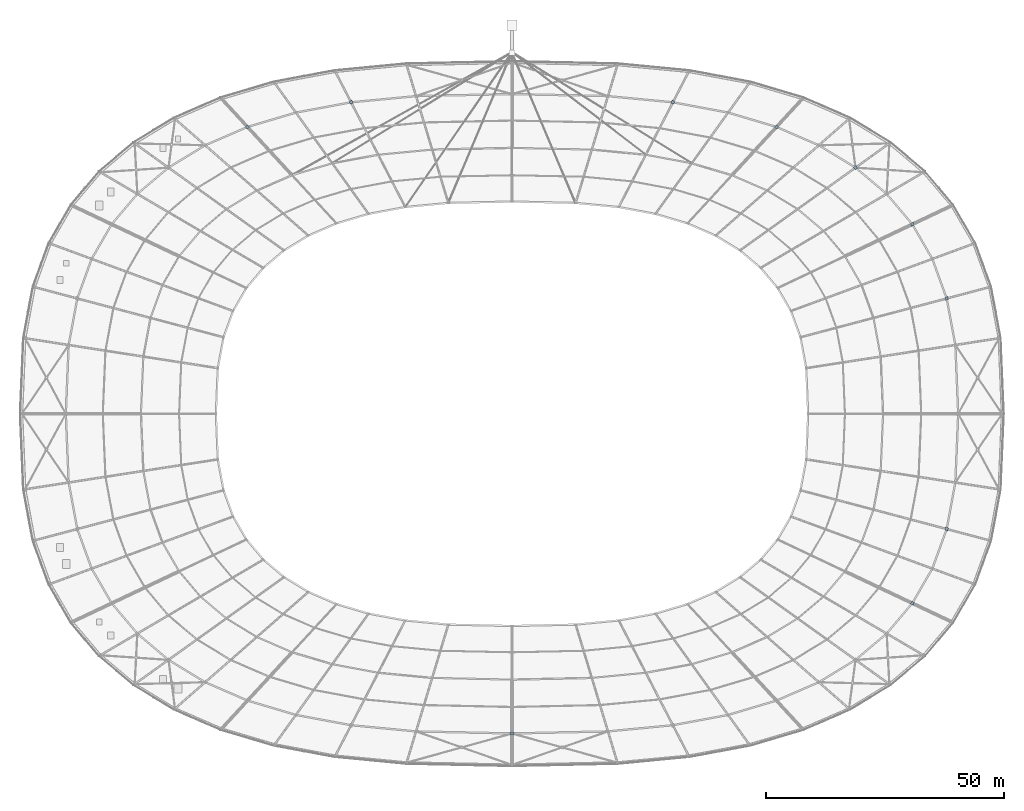
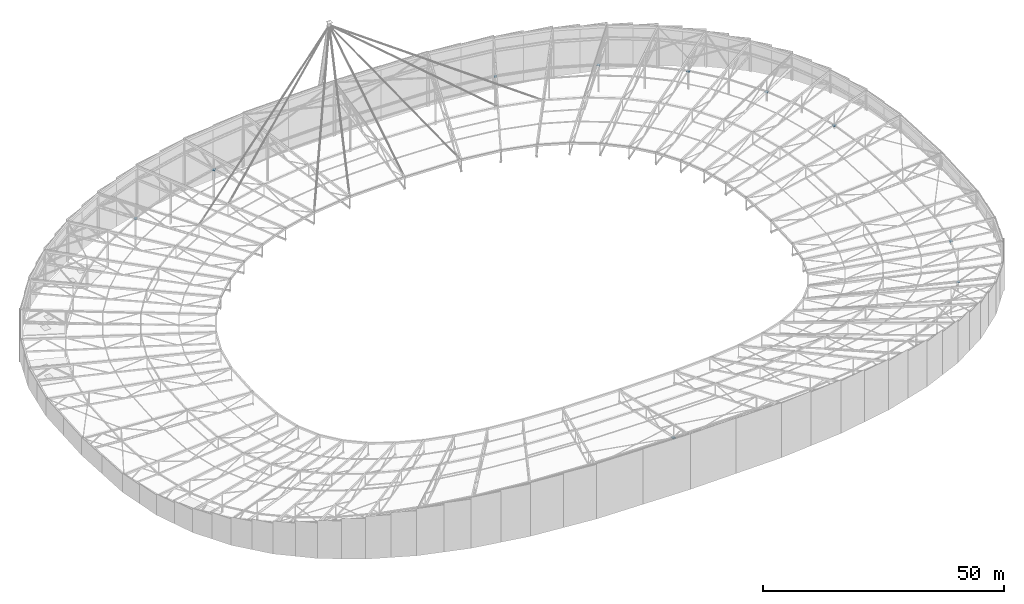
# One storey, part 138 of 143: 10 discrete accessories.
"""IFC4 building model written with IfcOpenShell, lengths in metres."""

import ifcopenshell
import ifcopenshell.guid

model = None  # the IFC model being written
_history = None  # IfcOwnerHistory: only IFC2X3 demands one
_inside = {}  # id of a spatial element -> (the spatial element, [elements in it])
_under = {}  # id of a project, library or spatial element -> (it, [spatial elements below it])
_declared = {}  # id of a project -> (the project, [libraries it declares])
_typed = {}  # id of a type object -> (the type object, [elements of that type])
_made_of = {}  # id of a material, layer set ... -> (it, [elements and type objects made of it])


def new_model(schema):
    """Start an empty IFC model of exactly this schema.

    Asked for "IFC4X3", IfcOpenShell would pick the latest addendum, in which some entities
    have other attributes; the version numbers below select the first issue.
    IFC2X3 requires an IfcOwnerHistory on every rooted entity: one is made here for all.
    """
    global model, _history
    if schema == "IFC4X3":
        model = ifcopenshell.file(schema_version=(4, 3, 0, 0))
    else:
        model = ifcopenshell.file(schema=schema)
    _inside.clear()
    _under.clear()
    _declared.clear()
    _typed.clear()
    _made_of.clear()
    _history = None
    if model.schema == "IFC2X3":
        org = make("IfcOrganization", Name="unknown")
        user = make(
            "IfcPersonAndOrganization",
            ThePerson=make("IfcPerson", FamilyName="unknown"),
            TheOrganization=org,
        )
        app = make(
            "IfcApplication",
            ApplicationDeveloper=org,
            Version="unknown",
            ApplicationFullName="unknown",
            ApplicationIdentifier="unknown",
        )
        _history = make(
            "IfcOwnerHistory",
            OwningUser=user,
            OwningApplication=app,
            ChangeAction="ADDED",
            CreationDate=0,
        )
    return model


def make(cls, **values):
    """One entity of the class cls with the attributes given. An attribute that is None is left unset."""
    return model.create_entity(
        cls, **{name: value for name, value in values.items() if value is not None}
    )


def rooted(cls, **values):
    """An entity with a GlobalId (a new one), such as an element, a storey or a relation."""
    return make(cls, GlobalId=ifcopenshell.guid.new(), OwnerHistory=_history, **values)


def si_unit(unit_type, name, prefix=None):
    """IfcSIUnit, for example si_unit("LENGTHUNIT", "METRE", prefix="MILLI")."""
    return make("IfcSIUnit", UnitType=unit_type, Prefix=prefix, Name=name)


def assignment(units):
    """IfcUnitAssignment: the units of a project."""
    return None if units is None else make("IfcUnitAssignment", Units=units)


def point(xyz):
    """IfcCartesianPoint."""
    return None if xyz is None else make("IfcCartesianPoint", Coordinates=xyz)


def direction(xyz):
    """IfcDirection."""
    return None if xyz is None else make("IfcDirection", DirectionRatios=xyz)


def frame(location, z_axis=None, x_axis=None):
    """IfcAxis2Placement3D, a coordinate frame: its origin and axes. An axis left out is left unset."""
    return make(
        "IfcAxis2Placement3D",
        Location=point(location),
        Axis=direction(z_axis),
        RefDirection=direction(x_axis),
    )


def frame_2d(location, x_axis=None):
    """IfcAxis2Placement2D, a coordinate frame in the plane: its origin and x axis."""
    return make(
        "IfcAxis2Placement2D", Location=point(location), RefDirection=direction(x_axis)
    )


def origin():
    """The frame at (0, 0, 0) with its axes left unset."""
    return frame((0.0, 0.0, 0.0))


def origin_2d():
    """The frame at (0, 0) in the plane with its x axis left unset."""
    return frame_2d((0.0, 0.0))


def place(relative_to, where):
    """IfcLocalPlacement: puts the frame where relative to a parent placement (None: the world)."""
    return make(
        "IfcLocalPlacement", PlacementRelTo=relative_to, RelativePlacement=where
    )


def context(
    kind, dimensions, precision=None, world=None, true_north=None, identifier=None
):
    """IfcGeometricRepresentationContext, for example the 3D "Model" context."""
    return make(
        "IfcGeometricRepresentationContext",
        ContextIdentifier=identifier,
        ContextType=kind,
        CoordinateSpaceDimension=dimensions,
        Precision=precision,
        WorldCoordinateSystem=world,
        TrueNorth=true_north,
    )


def subcontext(parent, identifier, kind, view, scale=None):
    """IfcGeometricRepresentationSubContext, for example "Body" below "Model"."""
    return make(
        "IfcGeometricRepresentationSubContext",
        ContextIdentifier=identifier,
        ContextType=kind,
        ParentContext=parent,
        TargetScale=scale,
        TargetView=view,
    )


def project(units=None, contexts=None):
    """IfcProject with its units and contexts."""
    return rooted(
        "IfcProject",
        Name="project",
        RepresentationContexts=contexts,
        UnitsInContext=assignment(units),
    )


def spatial(cls, under=None, at=None, **own):
    """A site, building, storey or space (cls), placed at a placement, below another one or the project."""
    s = rooted(cls, ObjectPlacement=at, **own)
    if under is not None:
        _under.setdefault(under.id(), (under, []))[1].append(s)
    return s


def profile(cls, at=None, kind="AREA", **sizes):
    """A parametric profile (cls). Its sizes go by their IFC names, for example OverallWidth=200.0."""
    return make(cls, ProfileType=kind, Position=at, **sizes)


def rectangle(**sizes):
    """IfcRectangleProfileDef."""
    return profile("IfcRectangleProfileDef", **sizes)


def extrude(swept, where, along, depth):
    """IfcExtrudedAreaSolid: the profile swept, set in the frame where, extruded along a direction by depth."""
    return make(
        "IfcExtrudedAreaSolid",
        SweptArea=swept,
        Position=where,
        ExtrudedDirection=direction(along),
        Depth=depth,
    )


def shape(context_of_items, identifier, shape_type, items):
    """IfcShapeRepresentation: the items that make up one representation, for example the "Body"."""
    return make(
        "IfcShapeRepresentation",
        ContextOfItems=context_of_items,
        RepresentationIdentifier=identifier,
        RepresentationType=shape_type,
        Items=items,
    )


def material(Name=None, Category=None):
    """IfcMaterial."""
    return make("IfcMaterial", Name=Name, Category=Category)


def made_of(thing, what):
    """Note that an element or type object is made of a material, layer set ...; save() writes the relation."""
    if what is not None:
        _made_of.setdefault(what.id(), (what, []))[1].append(thing)
    return thing


def type_object(cls, material=None, **own):
    """A type object (cls), such as IfcWallType, which elements share."""
    return made_of(rooted(cls, **own), material)


def element(
    cls,
    number,
    at=None,
    inside=None,
    cuts=None,
    type_object=None,
    material=None,
    context=None,
    identifier="Body",
    shape_type=None,
    held_by="IfcProductDefinitionShape",
    body=None,
    shapes=None,
    **own,
):
    """One element of the class cls, such as IfcWall. Its Tag is "e" and its number.

    at: its placement. inside: the storey or other place that contains it. cuts: it is an
    opening in that element (IfcRelVoidsElement). A single representation is given by context,
    identifier, shape_type and body (its items); several are given by shapes. held_by: the class
    of the entity that holds the representations. save() writes the other relations.
    """
    e = rooted(cls, Tag="e%d" % number, ObjectPlacement=at, **own)
    if body is not None:
        shapes = [shape(context, identifier, shape_type, body)]
    if shapes is not None:
        e.Representation = make(held_by, Representations=shapes)
    if inside is not None:
        _inside.setdefault(inside.id(), (inside, []))[1].append(e)
    if cuts is not None:
        rooted(
            "IfcRelVoidsElement", RelatingBuildingElement=cuts, RelatedOpeningElement=e
        )
    if type_object is not None:
        _typed.setdefault(type_object.id(), (type_object, []))[1].append(e)
    return made_of(e, material)


def aggregate(whole, parts):
    """IfcRelAggregates: a whole, such as a stair, and the parts it consists of."""
    return rooted("IfcRelAggregates", RelatingObject=whole, RelatedObjects=parts)


def save(model, path):
    """Write the relations noted so far, then the file.

    IfcRelAggregates (storeys below a building ...), IfcRelContainedInSpatialStructure (elements
    in a storey), IfcRelDefinesByType, IfcRelAssociatesMaterial and IfcRelDeclares: one each for
    every whole, place, type object, material and project.
    """
    for whole, parts in _under.values():
        aggregate(whole, parts)
    for where, things in _inside.values():
        rooted(
            "IfcRelContainedInSpatialStructure",
            RelatedElements=things,
            RelatingStructure=where,
        )
    for kind, things in _typed.values():
        rooted("IfcRelDefinesByType", RelatedObjects=things, RelatingType=kind)
    for what, things in _made_of.values():
        rooted("IfcRelAssociatesMaterial", RelatedObjects=things, RelatingMaterial=what)
    for by, libraries in _declared.values():
        rooted("IfcRelDeclares", RelatingContext=by, RelatedDefinitions=libraries)
    model.write(path)


model = new_model("IFC4")

# Units and contexts
model_context = context("Model", 3, precision=1e-05, world=origin(), true_north=direction((0.0, 1.0)))
body_context = subcontext(model_context, "Body", "Model", "MODEL_VIEW")
ifc_project = project(units=[si_unit("LENGTHUNIT", "METRE"), si_unit("AREAUNIT", "SQUARE_METRE"), si_unit("VOLUMEUNIT", "CUBIC_METRE"), si_unit("PLANEANGLEUNIT", "RADIAN"), si_unit("MASSUNIT", "GRAM", prefix="KILO")], contexts=[model_context])

# Site, building, storey
site_placement = place(None, origin())
site = spatial("IfcSite", under=ifc_project, at=site_placement, CompositionType="ELEMENT")
building_placement = place(site_placement, origin())
building = spatial("IfcBuilding", under=site, at=building_placement, Name="Mphavela Belvedere Stadium", CompositionType="ELEMENT")
storey_placement = place(building_placement, frame((0.0, 0.0, 28.800048828125)))
storey = spatial("IfcBuildingStorey", under=building, at=storey_placement, Name="RF", CompositionType="ELEMENT", Elevation=28.800048828125)

# Discrete accessories
ifc_material = material(Name="Steel S355", Category="steel")
discrete_accessory_type = type_object("IfcDiscreteAccessoryType", Name="ACC-TRUSS-SHOE", PredefinedType="SHOE", material=ifc_material)
for number, where, z_axis, x_axis, name in (
    (1, (206.1875, 111.181884765625, 0.7568359375), (0.0, 0.0, 1.0), (0.966600102017, 0.256289373133, 0.0), "Spherical roof truss bearing shoe R3-03"),
    (2, (198.9755859375, 126.748291015625, 2.3564453125), (0.0, 0.0, 1.0), (0.903858661687, 0.4278311813, 0.0), "Spherical roof truss bearing shoe R3-05"),
    (3, (187.061279296875, 138.631591796875, 4.54150390625), (0.0, 0.0, 1.0), (0.812897512265, 0.582406760395, 0.0), "Spherical roof truss bearing shoe R3-07"),
    (4, (170.476318359375, 147.16796875, 6.72607421875), (0.0, 0.0, 1.0), (0.677903094969, 0.735151272753, 0.0), "Spherical roof truss bearing shoe R3-09"),
    (5, (148.750244140625, 152.33544921875, 8.32568359375), (0.0, 0.0, 1.0), (0.458959712465, 0.888457079624, 0.0), "Spherical roof truss bearing shoe R3-11"),
    (6, (81.249755859375, 152.33544921875, 8.32568359375), (0.0, 0.0, 1.0), (-0.458959712465, 0.888457079624, 0.0), "Spherical roof truss bearing shoe R3-15"),
    (7, (59.523681640625, 147.16796875, 6.72607421875), (0.0, 0.0, 1.0), (-0.677903094969, 0.735151272753, 0.0), "Spherical roof truss bearing shoe R3-17"),
    (8, (115.0, 19.9326171875, 8.9111328125), (0.0, 0.0, 1.0), (0.0, -1.0, 0.0), "Spherical roof truss bearing shoe R3-37"),
    (9, (198.9755859375, 47.251708984375, 2.3564453125), (0.0, 0.0, 1.0), (0.903858661687, -0.4278311813, 0.0), "Spherical roof truss bearing shoe R3-45"),
    (10, (206.1875, 62.818115234375, 0.7568359375), (0.0, 0.0, 1.0), (0.966600102017, -0.256289373133, 0.0), "Spherical roof truss bearing shoe R3-47"),
):
    element("IfcDiscreteAccessory", number, at=place(storey_placement, frame(where, z_axis=z_axis, x_axis=x_axis)), inside=storey, type_object=discrete_accessory_type, Name=name, PredefinedType="SHOE", context=body_context, shape_type="SweptSolid", body=[
        extrude(rectangle(XDim=0.64990234375, YDim=0.64990234375, at=origin_2d()), origin(), (0.0, 0.0, 1.0), 0.159912109375),
    ])

save(model, "model.ifc")
